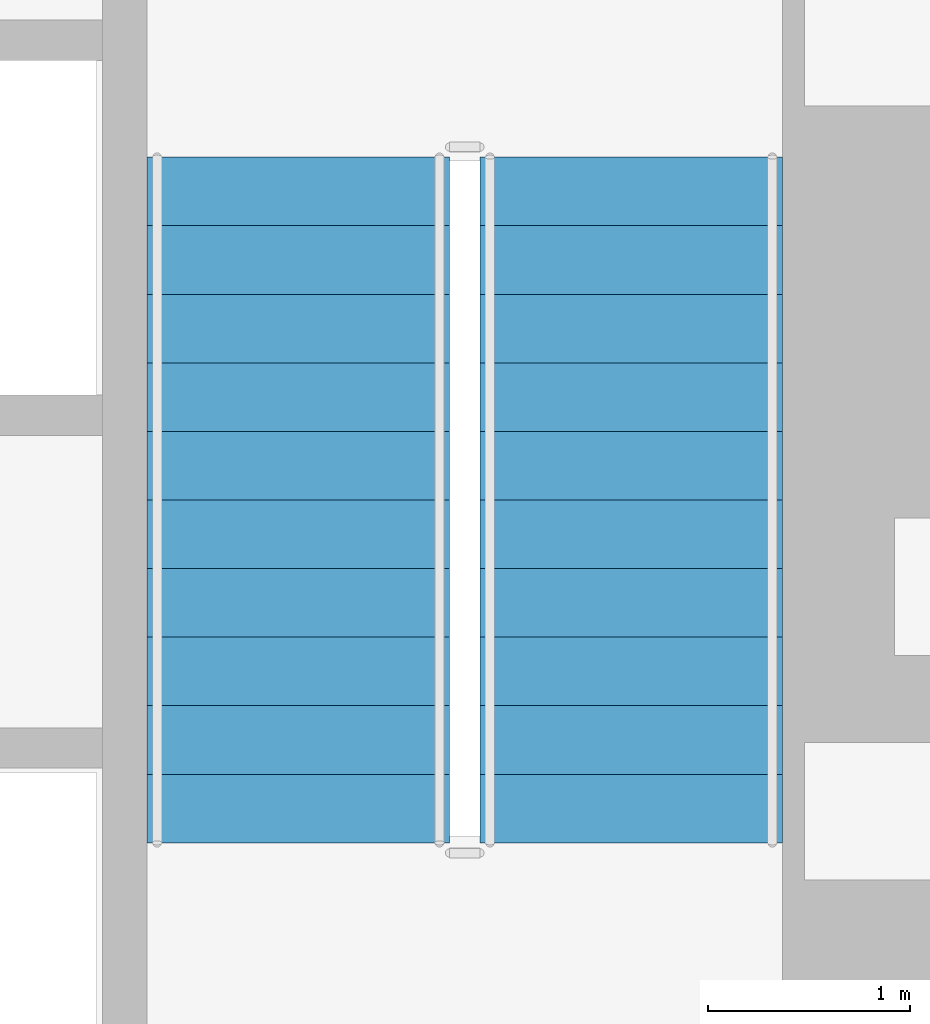
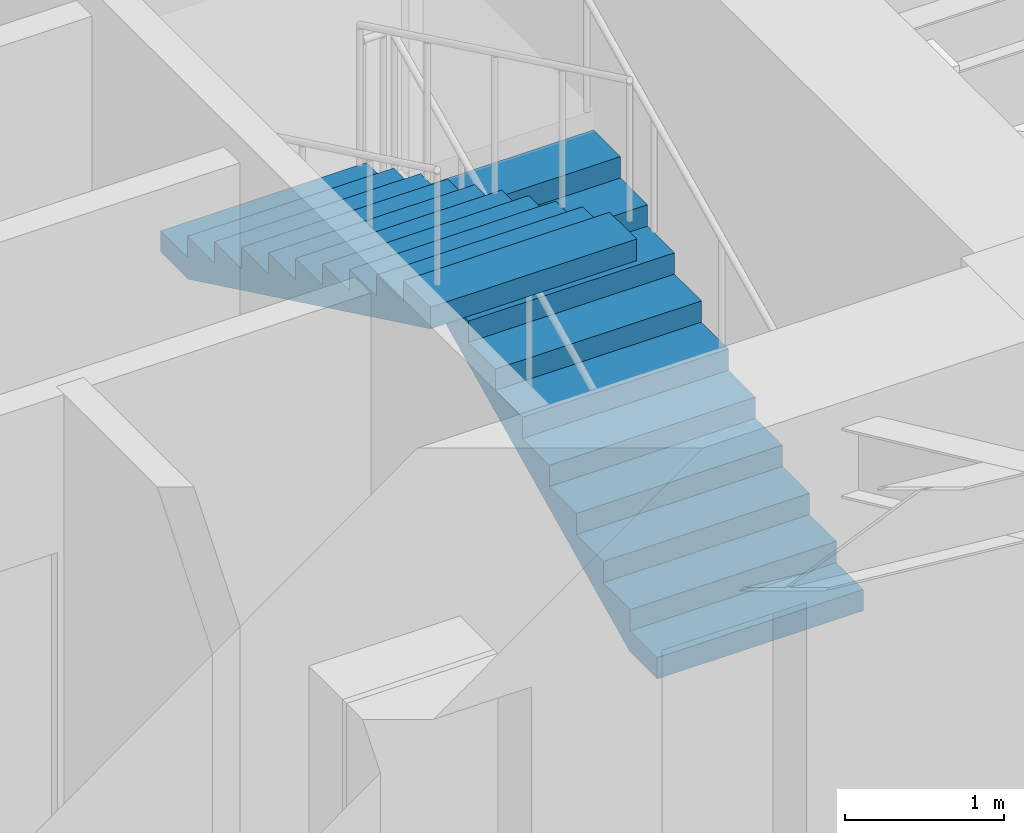
# One storey, part 10 of 14: 2 stair flights, 1 element without a shape of its own.
"""IFC4 building model written with IfcOpenShell, lengths in metres."""

from ifc_helpers import new_model, si_unit, direction, frame, origin, place, context, subcontext, project, spatial, polyline, outline, extrude, material, type_object, element, aggregate, save


model = new_model("IFC4")

# Units and contexts
model_context = context("Model", 3, precision=1e-05, world=origin(), true_north=direction((0.0, 1.0)))
body_context = subcontext(model_context, "Body", "Model", "MODEL_VIEW")
ifc_project = project(units=[si_unit("LENGTHUNIT", "METRE"), si_unit("AREAUNIT", "SQUARE_METRE"), si_unit("VOLUMEUNIT", "CUBIC_METRE"), si_unit("PLANEANGLEUNIT", "RADIAN"), si_unit("MASSUNIT", "GRAM", prefix="KILO")], contexts=[model_context])

# Site, building, storey
site_placement = place(None, origin())
site = spatial("IfcSite", under=ifc_project, at=site_placement, CompositionType="ELEMENT")
building_placement = place(site_placement, origin())
building = spatial("IfcBuilding", under=site, at=building_placement, Name="Keldmark Tower", CompositionType="ELEMENT")
storey_placement = place(building_placement, frame((0.0, 0.0, 48.60009765625)))
storey = spatial("IfcBuildingStorey", under=building, at=storey_placement, Name="L12", CompositionType="ELEMENT", Elevation=48.60009765625)

# Stair, stair flights
ifc_material_1 = material(Name="Concrete C40/50", Category="concrete")
stair_type = type_object("IfcStairType", Name="Precast Concrete Core Exit Stair", PredefinedType="HALF_TURN_STAIR", material=ifc_material_1)
stair_placement = place(storey_placement, origin())
stair = element("IfcStair", 1, at=stair_placement, inside=storey, type_object=stair_type, Name="L12 Exit Stair ST2", PredefinedType="HALF_TURN_STAIR")
ifc_material_2 = material(Name="Concrete C40/50", Category="concrete")
stair_flight_type = type_object("IfcStairFlightType", Name="Precast Concrete Stair Flight 1500 mm", PredefinedType="STRAIGHT", material=ifc_material_2)
stair_flight_1_placement = place(storey_placement, frame((12.39990234375, 3.35009765625, 0.0), z_axis=(0.0, 0.0, 1.0), x_axis=(0.0, 1.0, 0.0)))
stair_flight_1 = element("IfcStairFlight", 2, at=stair_flight_1_placement, type_object=stair_flight_type, Name="ST2 flight 1", NumberOfRisers=11, NumberOfTreads=10, PredefinedType="STRAIGHT", RiserHeight=0.163636364, TreadLength=0.34, context=body_context, shape_type="SweptSolid", body=[
    extrude(outline(polyline([(0.0, 0.0), (0.0, 0.16357421875), (0.340087890625, 0.16357421875), (0.340087890625, 0.327392578125), (0.679931640625, 0.327392578125), (0.679931640625, 0.490966796875), (1.02001953125, 0.490966796875), (1.02001953125, 0.654541015625), (1.360107421875, 0.654541015625), (1.360107421875, 0.818115234375), (1.699951171875, 0.818115234375), (1.699951171875, 0.98193359375), (2.0400390625, 0.98193359375), (2.0400390625, 1.1455078125), (2.3798828125, 1.1455078125), (2.3798828125, 1.30908203125), (2.719970703125, 1.30908203125), (2.719970703125, 1.47265625), (3.06005859375, 1.47265625), (3.06005859375, 1.636474609375), (3.39990234375, 1.636474609375), (3.39990234375, 1.800048828125), (3.39990234375, 1.469970703125), (0.345703125, 0.0), (0.0, 0.0)])), frame((0.0, 0.75, 0.0), z_axis=(0.0, -1.0, 0.0), x_axis=(1.0, 0.0, 0.0)), (0.0, 0.0, 1.0), 1.5),
])
stair_flight_2_placement = place(storey_placement, frame((10.75, 6.75, 1.7998046875), z_axis=(0.0, 0.0, 1.0), x_axis=(0.0, -1.0, 0.0)))
stair_flight_2 = element("IfcStairFlight", 3, at=stair_flight_2_placement, type_object=stair_flight_type, Name="ST2 flight 2", NumberOfRisers=11, NumberOfTreads=10, PredefinedType="STRAIGHT", RiserHeight=0.163636364, TreadLength=0.34, context=body_context, shape_type="SweptSolid", body=[
    extrude(outline(polyline([(0.0, 0.0), (0.0, 0.16357421875), (0.340087890625, 0.16357421875), (0.340087890625, 0.327392578125), (0.679931640625, 0.327392578125), (0.679931640625, 0.490966796875), (1.02001953125, 0.490966796875), (1.02001953125, 0.654541015625), (1.360107421875, 0.654541015625), (1.360107421875, 0.818115234375), (1.699951171875, 0.818115234375), (1.699951171875, 0.98193359375), (2.0400390625, 0.98193359375), (2.0400390625, 1.1455078125), (2.3798828125, 1.1455078125), (2.3798828125, 1.30908203125), (2.719970703125, 1.30908203125), (2.719970703125, 1.47265625), (3.06005859375, 1.47265625), (3.06005859375, 1.636474609375), (3.39990234375, 1.636474609375), (3.39990234375, 1.800048828125), (3.39990234375, 1.469970703125), (0.345703125, 0.0), (0.0, 0.0)])), frame((0.0, 0.75, 0.0), z_axis=(0.0, -1.0, 0.0), x_axis=(1.0, 0.0, 0.0)), (0.0, 0.0, 1.0), 1.5),
])
aggregate(stair, [stair_flight_1, stair_flight_2])

save(model, "model.ifc")
